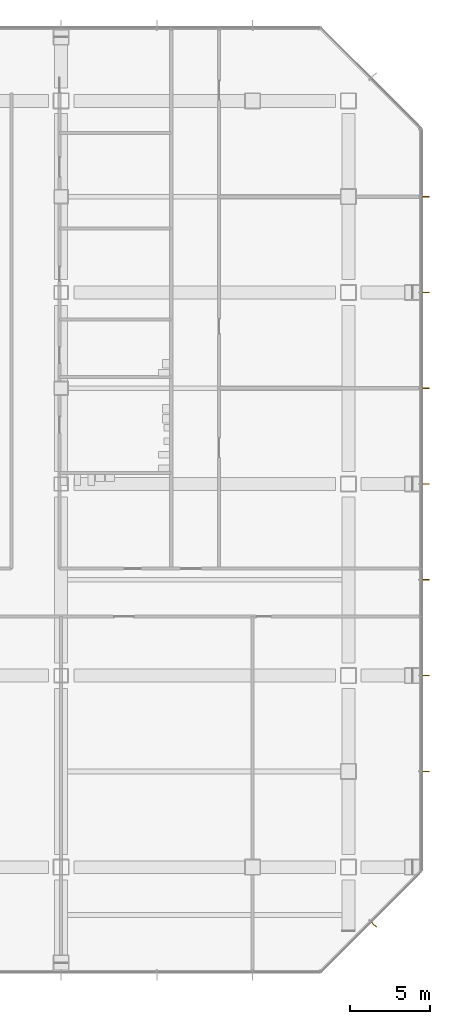
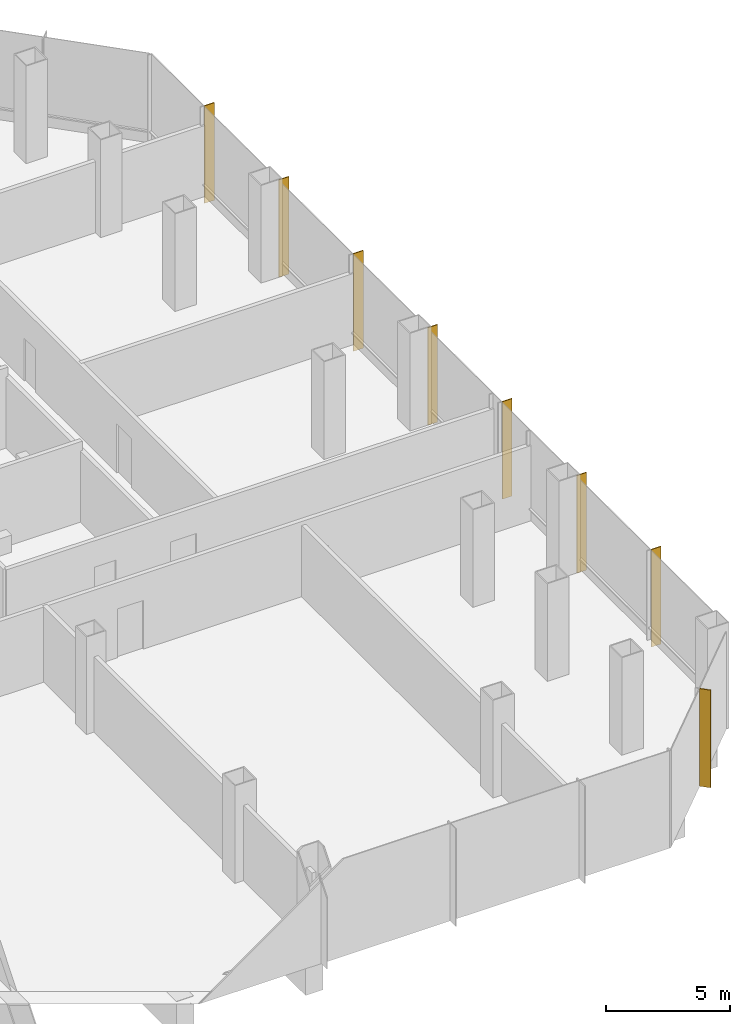
# One storey, part 32 of 34: 8 shading devices.
"""IFC4 building model written with IfcOpenShell, lengths in metres."""

from ifc_helpers import new_model, si_unit, direction, frame, origin, origin_2d, place, context, subcontext, project, spatial, rectangle, extrude, material, material_profile, profile_set, type_object, element, save


model = new_model("IFC4")

# Units and contexts
model_context = context("Model", 3, precision=1e-05, world=origin(), true_north=direction((0.0, 1.0)))
body_context = subcontext(model_context, "Body", "Model", "MODEL_VIEW")
ifc_project = project(units=[si_unit("LENGTHUNIT", "METRE"), si_unit("AREAUNIT", "SQUARE_METRE"), si_unit("VOLUMEUNIT", "CUBIC_METRE"), si_unit("PLANEANGLEUNIT", "RADIAN"), si_unit("MASSUNIT", "GRAM", prefix="KILO")], contexts=[model_context])

# Site, building, storey
site_placement = place(None, origin())
site = spatial("IfcSite", under=ifc_project, at=site_placement, CompositionType="ELEMENT")
building_placement = place(site_placement, origin())
building = spatial("IfcBuilding", under=site, at=building_placement, Name="Sorahane Residences", CompositionType="ELEMENT")
storey_placement = place(building_placement, frame((0.0, 0.0, 20.39990234375)))
storey = spatial("IfcBuildingStorey", under=building, at=storey_placement, Name="L02", CompositionType="ELEMENT", Elevation=20.39990234375)

# Shading devices
ifc_material = material(Name="Terracotta anodised aluminium", Category="masonry")
ifc_material_profile = material_profile(ifc_material, rectangle(XDim=0.449951171875, YDim=0.0400390625, at=origin_2d()), Name="Podium vertical fin terracotta anodised aluminium 450x40")
ifc_profile_set = profile_set([ifc_material_profile], Name="Terracotta anodised aluminium")
shading_device_type = type_object("IfcShadingDeviceType", Name="Podium vertical fin terracotta anodised aluminium 450x40", PredefinedType="USERDEFINED", material=ifc_profile_set)
for number, where, z_axis, x_axis, name in (
    (1, (67.597412109375, -3.597412109375, -0.39990234375), (0.0, 0.0, 1.0), (0.707106781187, -0.707106781187, 0.0), "Podium vertical fin L02 SE1.1"),
    (2, (70.844970703125, 6.0, -0.39990234375), (0.0, 0.0, 1.0), (1.0, 0.0, 0.0), "Podium vertical fin L02 E1.1"),
    (3, (70.844970703125, 12.0, -0.39990234375), (0.0, 0.0, 1.0), (1.0, 0.0, 0.0), "Podium vertical fin L02 E1.2"),
    (4, (70.844970703125, 18.0, -0.39990234375), (0.0, 0.0, 1.0), (1.0, 0.0, 0.0), "Podium vertical fin L02 E1.3"),
    (5, (70.844970703125, 24.0, -0.39990234375), (0.0, 0.0, 1.0), (1.0, 0.0, 0.0), "Podium vertical fin L02 E1.4"),
    (6, (70.844970703125, 30.0, -0.39990234375), (0.0, 0.0, 1.0), (1.0, 0.0, 0.0), "Podium vertical fin L02 E1.5"),
    (7, (70.844970703125, 36.0, -0.39990234375), (0.0, 0.0, 1.0), (1.0, 0.0, 0.0), "Podium vertical fin L02 E1.6"),
    (8, (70.844970703125, 42.0, -0.39990234375), (0.0, 0.0, 1.0), (1.0, 0.0, 0.0), "Podium vertical fin L02 E1.7"),
):
    element("IfcShadingDevice", number, at=place(storey_placement, frame(where, z_axis=z_axis, x_axis=x_axis)), inside=storey, type_object=shading_device_type, Name=name, ObjectType="Vertical fin", PredefinedType="USERDEFINED", context=body_context, shape_type="SweptSolid", body=[
        extrude(rectangle(XDim=0.449951171875, YDim=0.0400390625, at=origin_2d()), origin(), (0.0, 0.0, 1.0), 4.800048828125),
    ])

save(model, "model.ifc")
